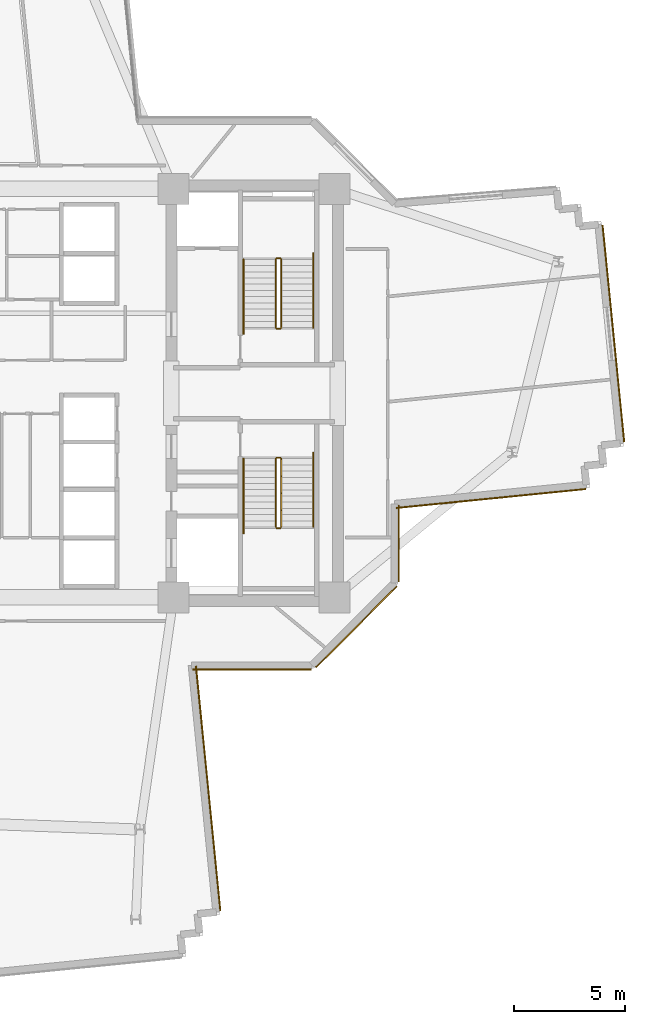
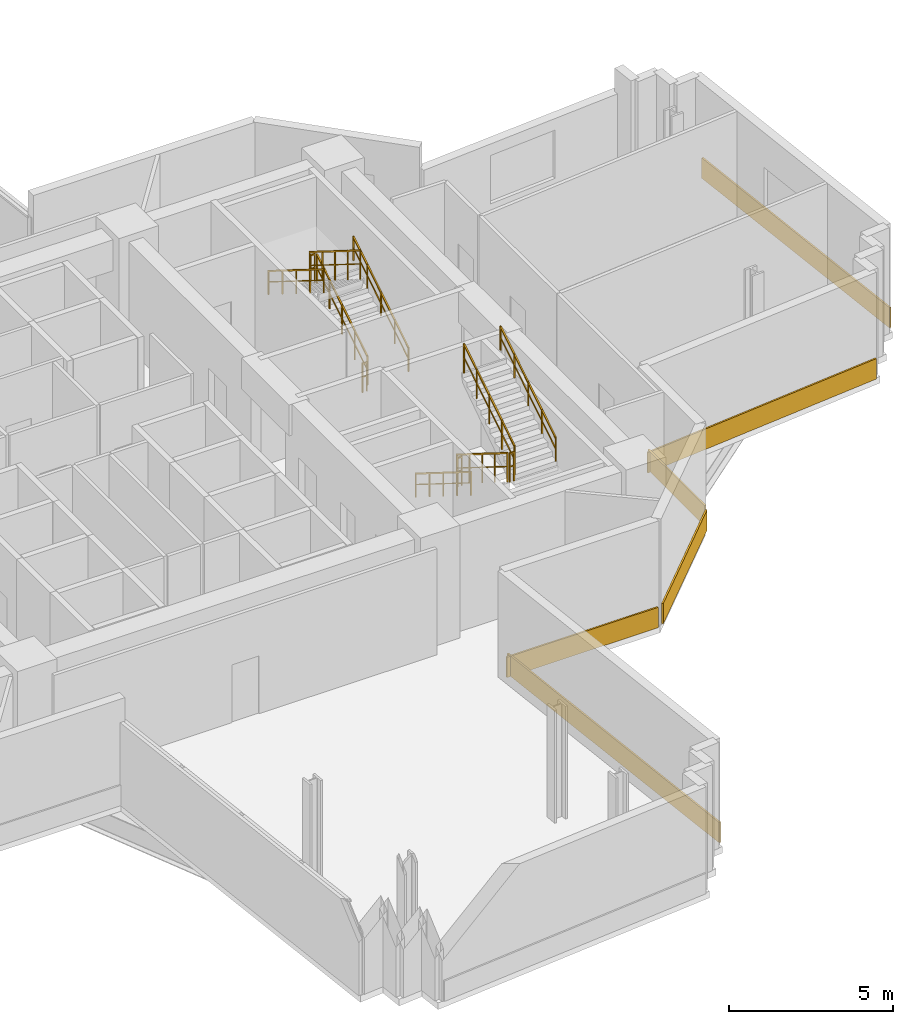
# One storey, part 13 of 14: 12 railings, 6 coverings.
"""IFC4 building model written with IfcOpenShell, lengths in metres."""

from ifc_helpers import new_model, si_unit, direction, frame, origin, origin_2d, place, context, subcontext, project, spatial, rectangle, extrude, source, transform, mapped, material, layer, layer_set, type_object, element, save


model = new_model("IFC4")

# Units and contexts
model_context = context("Model", 3, precision=1e-05, world=origin(), true_north=direction((0.0, 1.0)))
body_context = subcontext(model_context, "Body", "Model", "MODEL_VIEW")
ifc_project = project(units=[si_unit("LENGTHUNIT", "METRE"), si_unit("AREAUNIT", "SQUARE_METRE"), si_unit("VOLUMEUNIT", "CUBIC_METRE"), si_unit("PLANEANGLEUNIT", "RADIAN"), si_unit("MASSUNIT", "GRAM", prefix="KILO")], contexts=[model_context])

# Site, building, storey
site_placement = place(None, origin())
site = spatial("IfcSite", under=ifc_project, at=site_placement, CompositionType="ELEMENT")
building_placement = place(site_placement, origin())
building = spatial("IfcBuilding", under=site, at=building_placement, Name="Zahravan Cultural Tower", CompositionType="ELEMENT")
storey_placement = place(building_placement, frame((0.0, 0.0, 92.10009765625)))
storey = spatial("IfcBuildingStorey", under=building, at=storey_placement, Name="L20", CompositionType="ELEMENT", Elevation=92.10009765625)

# Railings
ifc_material_1 = material(Name="Steel ASTM A572 Grade 50", Category="steel")
railing_type_1 = type_object("IfcRailingType", Name="RL-STAIR-GRD1150", PredefinedType="BALUSTRADE", material=ifc_material_1)
railing_1_placement = place(storey_placement, frame((47.949951171875, 29.949951171875, 0.1748046875)))
element("IfcRailing", 1, at=railing_1_placement, inside=storey, type_object=railing_type_1, Name="L20 ST-E1 stair guard 1", PredefinedType="BALUSTRADE", context=body_context, shape_type="SweptSolid", body=[
    extrude(rectangle(XDim=0.05, YDim=0.05, at=origin_2d()), frame((0.0, 0.0, 1.0751953125), z_axis=(0.0, 0.847998304005, 0.529998940003), x_axis=(-1.0, 0.0, 0.0)), (0.0, 0.0, 1.0), 3.632080078125),
    extrude(rectangle(XDim=0.032, YDim=0.032, at=origin_2d()), frame((0.0, 0.0, 0.572021484375), z_axis=(0.0, 0.847998304005, 0.529998940003), x_axis=(-1.0, 0.0, 0.0)), (0.0, 0.0, 1.0), 3.632080078125),
    extrude(rectangle(XDim=0.04, YDim=0.04, at=origin_2d()), origin(), (0.0, 0.0, 1.0), 1.10009765625),
    extrude(rectangle(XDim=0.04, YDim=0.04, at=origin_2d()), frame((0.0, 0.77001953125, 0.481201171875)), (0.0, 0.0, 1.0), 1.10009765625),
    extrude(rectangle(XDim=0.04, YDim=0.04, at=origin_2d()), frame((0.0, 1.5400390625, 0.96240234375)), (0.0, 0.0, 1.0), 1.10009765625),
    extrude(rectangle(XDim=0.04, YDim=0.04, at=origin_2d()), frame((0.0, 2.31005859375, 1.44384765625)), (0.0, 0.0, 1.0), 1.10009765625),
    extrude(rectangle(XDim=0.04, YDim=0.04, at=origin_2d()), frame((0.0, 3.080078125, 1.925048828125)), (0.0, 0.0, 1.0), 1.10009765625),
])
railing_2_placement = place(storey_placement, frame((47.89990234375, 33.080078125, 2.099853515625)))
element("IfcRailing", 2, at=railing_2_placement, inside=storey, type_object=railing_type_1, Name="L20 ST-E1 stair guard 2", PredefinedType="BALUSTRADE", context=body_context, shape_type="SweptSolid", body=[
    extrude(rectangle(XDim=0.05, YDim=0.05, at=origin_2d()), frame((0.0, 0.0, 1.0751953125), z_axis=(-1.0, 0.0, 0.0), x_axis=(0.0, -1.0, 0.0)), (0.0, 0.0, 1.0), 0.14990234375),
    extrude(rectangle(XDim=0.032, YDim=0.032, at=origin_2d()), frame((0.0, 0.0, 0.572021484375), z_axis=(-1.0, 0.0, 0.0), x_axis=(0.0, -1.0, 0.0)), (0.0, 0.0, 1.0), 0.14990234375),
    extrude(rectangle(XDim=0.04, YDim=0.04, at=origin_2d()), origin(), (0.0, 0.0, 1.0), 1.10009765625),
    extrude(rectangle(XDim=0.04, YDim=0.04, at=origin_2d()), frame((-0.14990234375, 0.0, 0.0)), (0.0, 0.0, 1.0), 1.10009765625),
])
railing_3_placement = place(storey_placement, frame((47.699951171875, 33.030029296875, 2.27490234375)))
element("IfcRailing", 3, at=railing_3_placement, inside=storey, type_object=railing_type_1, Name="L20 ST-E1 stair guard 3", PredefinedType="BALUSTRADE", context=body_context, shape_type="SweptSolid", body=[
    extrude(rectangle(XDim=0.05, YDim=0.05, at=origin_2d()), frame((0.0, 0.0, 1.0751953125), z_axis=(0.0, -0.847998304005, 0.529998940003), x_axis=(1.0, 0.0, 0.0)), (0.0, 0.0, 1.0), 3.632080078125),
    extrude(rectangle(XDim=0.032, YDim=0.032, at=origin_2d()), frame((0.0, 0.0, 0.572021484375), z_axis=(0.0, -0.847998304005, 0.529998940003), x_axis=(1.0, 0.0, 0.0)), (0.0, 0.0, 1.0), 3.632080078125),
    extrude(rectangle(XDim=0.04, YDim=0.04, at=origin_2d()), origin(), (0.0, 0.0, 1.0), 1.10009765625),
    extrude(rectangle(XDim=0.04, YDim=0.04, at=origin_2d()), frame((0.0, -0.77001953125, 0.481201171875)), (0.0, 0.0, 1.0), 1.10009765625),
    extrude(rectangle(XDim=0.04, YDim=0.04, at=origin_2d()), frame((0.0, -1.5400390625, 0.96240234375)), (0.0, 0.0, 1.0), 1.10009765625),
    extrude(rectangle(XDim=0.04, YDim=0.04, at=origin_2d()), frame((0.0, -2.31005859375, 1.44384765625)), (0.0, 0.0, 1.0), 1.10009765625),
    extrude(rectangle(XDim=0.04, YDim=0.04, at=origin_2d()), frame((0.0, -3.080078125, 1.925048828125)), (0.0, 0.0, 1.0), 1.10009765625),
])
railing_4_placement = place(storey_placement, frame((47.89990234375, 29.89990234375, 0.0)))
element("IfcRailing", 4, at=railing_4_placement, inside=storey, type_object=railing_type_1, Name="L20 ST-E1 stair guard 4", PredefinedType="BALUSTRADE", context=body_context, shape_type="SweptSolid", body=[
    extrude(rectangle(XDim=0.05, YDim=0.05, at=origin_2d()), frame((0.0, 0.0, 1.0751953125), z_axis=(-1.0, 0.0, 0.0), x_axis=(0.0, -1.0, 0.0)), (0.0, 0.0, 1.0), 0.14990234375),
    extrude(rectangle(XDim=0.032, YDim=0.032, at=origin_2d()), frame((0.0, 0.0, 0.572021484375), z_axis=(-1.0, 0.0, 0.0), x_axis=(0.0, -1.0, 0.0)), (0.0, 0.0, 1.0), 0.14990234375),
    extrude(rectangle(XDim=0.04, YDim=0.04, at=origin_2d()), origin(), (0.0, 0.0, 1.0), 1.10009765625),
    extrude(rectangle(XDim=0.04, YDim=0.04, at=origin_2d()), frame((-0.14990234375, 0.0, 0.0)), (0.0, 0.0, 1.0), 1.10009765625),
])
railing_5_placement = place(storey_placement, frame((47.699951171875, 24.050048828125, 0.1748046875)))
element("IfcRailing", 5, at=railing_5_placement, inside=storey, type_object=railing_type_1, Name="L20 ST-E2 stair guard 1", PredefinedType="BALUSTRADE", context=body_context, shape_type="SweptSolid", body=[
    extrude(rectangle(XDim=0.05, YDim=0.05, at=origin_2d()), frame((0.0, 0.0, 1.0751953125), z_axis=(0.0, -0.847998304005, 0.529998940003), x_axis=(1.0, 0.0, 0.0)), (0.0, 0.0, 1.0), 3.632080078125),
    extrude(rectangle(XDim=0.032, YDim=0.032, at=origin_2d()), frame((0.0, 0.0, 0.572021484375), z_axis=(0.0, -0.847998304005, 0.529998940003), x_axis=(1.0, 0.0, 0.0)), (0.0, 0.0, 1.0), 3.632080078125),
    extrude(rectangle(XDim=0.04, YDim=0.04, at=origin_2d()), origin(), (0.0, 0.0, 1.0), 1.10009765625),
    extrude(rectangle(XDim=0.04, YDim=0.04, at=origin_2d()), frame((0.0, -0.77001953125, 0.481201171875)), (0.0, 0.0, 1.0), 1.10009765625),
    extrude(rectangle(XDim=0.04, YDim=0.04, at=origin_2d()), frame((0.0, -1.5400390625, 0.96240234375)), (0.0, 0.0, 1.0), 1.10009765625),
    extrude(rectangle(XDim=0.04, YDim=0.04, at=origin_2d()), frame((0.0, -2.31005859375, 1.44384765625)), (0.0, 0.0, 1.0), 1.10009765625),
    extrude(rectangle(XDim=0.04, YDim=0.04, at=origin_2d()), frame((0.0, -3.080078125, 1.925048828125)), (0.0, 0.0, 1.0), 1.10009765625),
])
railing_6_placement = place(storey_placement, frame((47.75, 20.919921875, 2.099853515625)))
element("IfcRailing", 6, at=railing_6_placement, inside=storey, type_object=railing_type_1, Name="L20 ST-E2 stair guard 2", PredefinedType="BALUSTRADE", context=body_context, shape_type="SweptSolid", body=[
    extrude(rectangle(XDim=0.05, YDim=0.05, at=origin_2d()), frame((0.0, 0.0, 1.0751953125), z_axis=(1.0, 0.0, 0.0), x_axis=(0.0, 1.0, 0.0)), (0.0, 0.0, 1.0), 0.14990234375),
    extrude(rectangle(XDim=0.032, YDim=0.032, at=origin_2d()), frame((0.0, 0.0, 0.572021484375), z_axis=(1.0, 0.0, 0.0), x_axis=(0.0, 1.0, 0.0)), (0.0, 0.0, 1.0), 0.14990234375),
    extrude(rectangle(XDim=0.04, YDim=0.04, at=origin_2d()), origin(), (0.0, 0.0, 1.0), 1.10009765625),
    extrude(rectangle(XDim=0.04, YDim=0.04, at=origin_2d()), frame((0.14990234375, 0.0, 0.0)), (0.0, 0.0, 1.0), 1.10009765625),
])
railing_7_placement = place(storey_placement, frame((47.949951171875, 20.969970703125, 2.27490234375)))
element("IfcRailing", 7, at=railing_7_placement, inside=storey, type_object=railing_type_1, Name="L20 ST-E2 stair guard 3", PredefinedType="BALUSTRADE", context=body_context, shape_type="SweptSolid", body=[
    extrude(rectangle(XDim=0.05, YDim=0.05, at=origin_2d()), frame((0.0, 0.0, 1.0751953125), z_axis=(0.0, 0.847998304005, 0.529998940003), x_axis=(-1.0, 0.0, 0.0)), (0.0, 0.0, 1.0), 3.632080078125),
    extrude(rectangle(XDim=0.032, YDim=0.032, at=origin_2d()), frame((0.0, 0.0, 0.572021484375), z_axis=(0.0, 0.847998304005, 0.529998940003), x_axis=(-1.0, 0.0, 0.0)), (0.0, 0.0, 1.0), 3.632080078125),
    extrude(rectangle(XDim=0.04, YDim=0.04, at=origin_2d()), origin(), (0.0, 0.0, 1.0), 1.10009765625),
    extrude(rectangle(XDim=0.04, YDim=0.04, at=origin_2d()), frame((0.0, 0.77001953125, 0.481201171875)), (0.0, 0.0, 1.0), 1.10009765625),
    extrude(rectangle(XDim=0.04, YDim=0.04, at=origin_2d()), frame((0.0, 1.5400390625, 0.96240234375)), (0.0, 0.0, 1.0), 1.10009765625),
    extrude(rectangle(XDim=0.04, YDim=0.04, at=origin_2d()), frame((0.0, 2.31005859375, 1.44384765625)), (0.0, 0.0, 1.0), 1.10009765625),
    extrude(rectangle(XDim=0.04, YDim=0.04, at=origin_2d()), frame((0.0, 3.080078125, 1.925048828125)), (0.0, 0.0, 1.0), 1.10009765625),
])
railing_8_placement = place(storey_placement, frame((47.75, 24.10009765625, 0.0)))
element("IfcRailing", 8, at=railing_8_placement, inside=storey, type_object=railing_type_1, Name="L20 ST-E2 stair guard 4", PredefinedType="BALUSTRADE", context=body_context, shape_type="SweptSolid", body=[
    extrude(rectangle(XDim=0.05, YDim=0.05, at=origin_2d()), frame((0.0, 0.0, 1.0751953125), z_axis=(1.0, 0.0, 0.0), x_axis=(0.0, 1.0, 0.0)), (0.0, 0.0, 1.0), 0.14990234375),
    extrude(rectangle(XDim=0.032, YDim=0.032, at=origin_2d()), frame((0.0, 0.0, 0.572021484375), z_axis=(1.0, 0.0, 0.0), x_axis=(0.0, 1.0, 0.0)), (0.0, 0.0, 1.0), 0.14990234375),
    extrude(rectangle(XDim=0.04, YDim=0.04, at=origin_2d()), origin(), (0.0, 0.0, 1.0), 1.10009765625),
    extrude(rectangle(XDim=0.04, YDim=0.04, at=origin_2d()), frame((0.14990234375, 0.0, 0.0)), (0.0, 0.0, 1.0), 1.10009765625),
])
railing_type_2 = type_object("IfcRailingType", Name="RL-STAIR-HR900", PredefinedType="HANDRAIL", material=ifc_material_1)
railing_9_placement = place(storey_placement, frame((49.39990234375, 29.949951171875, 0.1748046875)))
element("IfcRailing", 9, at=railing_9_placement, inside=storey, type_object=railing_type_2, Name="L20 ST-E1 stair handrail 1", PredefinedType="HANDRAIL", context=body_context, shape_type="SweptSolid", body=[
    extrude(rectangle(XDim=0.05, YDim=0.05, at=origin_2d()), frame((0.0, 0.0, 0.875), z_axis=(0.0, 0.847994842521, 0.530004478338), x_axis=(-1.0, 0.0, 0.0)), (0.0, 0.0, 1.0), 3.96240234375),
    extrude(rectangle(XDim=0.032, YDim=0.032, at=origin_2d()), frame((0.0, 0.0, 0.468017578125), z_axis=(0.0, 0.847994842521, 0.530004478338), x_axis=(-1.0, 0.0, 0.0)), (0.0, 0.0, 1.0), 3.96240234375),
    extrude(rectangle(XDim=0.04, YDim=0.04, at=origin_2d()), origin(), (0.0, 0.0, 1.0), 0.89990234375),
    extrude(rectangle(XDim=0.04, YDim=0.04, at=origin_2d()), frame((0.0, 0.840087890625, 0.52490234375)), (0.0, 0.0, 1.0), 0.89990234375),
    extrude(rectangle(XDim=0.04, YDim=0.04, at=origin_2d()), frame((0.0, 1.68017578125, 1.050048828125)), (0.0, 0.0, 1.0), 0.89990234375),
    extrude(rectangle(XDim=0.04, YDim=0.04, at=origin_2d()), frame((0.0, 2.52001953125, 1.5751953125)), (0.0, 0.0, 1.0), 0.89990234375),
    extrude(rectangle(XDim=0.04, YDim=0.04, at=origin_2d()), frame((0.0, 3.360107421875, 2.10009765625)), (0.0, 0.0, 1.0), 0.89990234375),
])
for number, where, name in (
    (10, (46.25, 33.030029296875, 2.27490234375), "L20 ST-E1 stair handrail 2"),
    (11, (46.25, 24.050048828125, 0.1748046875), "L20 ST-E2 stair handrail 1"),
):
    element("IfcRailing", number, at=place(storey_placement, frame(where)), inside=storey, type_object=railing_type_2, Name=name, PredefinedType="HANDRAIL", context=body_context, shape_type="SweptSolid", body=[
        extrude(rectangle(XDim=0.05, YDim=0.05, at=origin_2d()), frame((0.0, 0.0, 0.875), z_axis=(0.0, -0.847994842521, 0.530004478338), x_axis=(1.0, 0.0, 0.0)), (0.0, 0.0, 1.0), 3.96240234375),
        extrude(rectangle(XDim=0.032, YDim=0.032, at=origin_2d()), frame((0.0, 0.0, 0.468017578125), z_axis=(0.0, -0.847994842521, 0.530004478338), x_axis=(1.0, 0.0, 0.0)), (0.0, 0.0, 1.0), 3.96240234375),
        extrude(rectangle(XDim=0.04, YDim=0.04, at=origin_2d()), origin(), (0.0, 0.0, 1.0), 0.89990234375),
        extrude(rectangle(XDim=0.04, YDim=0.04, at=origin_2d()), frame((0.0, -0.840087890625, 0.52490234375)), (0.0, 0.0, 1.0), 0.89990234375),
        extrude(rectangle(XDim=0.04, YDim=0.04, at=origin_2d()), frame((0.0, -1.68017578125, 1.050048828125)), (0.0, 0.0, 1.0), 0.89990234375),
        extrude(rectangle(XDim=0.04, YDim=0.04, at=origin_2d()), frame((0.0, -2.52001953125, 1.5751953125)), (0.0, 0.0, 1.0), 0.89990234375),
        extrude(rectangle(XDim=0.04, YDim=0.04, at=origin_2d()), frame((0.0, -3.360107421875, 2.10009765625)), (0.0, 0.0, 1.0), 0.89990234375),
    ])
railing_10_placement = place(storey_placement, frame((49.39990234375, 20.969970703125, 2.27490234375)))
element("IfcRailing", 12, at=railing_10_placement, inside=storey, type_object=railing_type_2, Name="L20 ST-E2 stair handrail 2", PredefinedType="HANDRAIL", context=body_context, shape_type="SweptSolid", body=[
    extrude(rectangle(XDim=0.05, YDim=0.05, at=origin_2d()), frame((0.0, 0.0, 0.875), z_axis=(0.0, 0.847994842521, 0.530004478338), x_axis=(-1.0, 0.0, 0.0)), (0.0, 0.0, 1.0), 3.96240234375),
    extrude(rectangle(XDim=0.032, YDim=0.032, at=origin_2d()), frame((0.0, 0.0, 0.468017578125), z_axis=(0.0, 0.847994842521, 0.530004478338), x_axis=(-1.0, 0.0, 0.0)), (0.0, 0.0, 1.0), 3.96240234375),
    extrude(rectangle(XDim=0.04, YDim=0.04, at=origin_2d()), origin(), (0.0, 0.0, 1.0), 0.89990234375),
    extrude(rectangle(XDim=0.04, YDim=0.04, at=origin_2d()), frame((0.0, 0.840087890625, 0.52490234375)), (0.0, 0.0, 1.0), 0.89990234375),
    extrude(rectangle(XDim=0.04, YDim=0.04, at=origin_2d()), frame((0.0, 1.68017578125, 1.050048828125)), (0.0, 0.0, 1.0), 0.89990234375),
    extrude(rectangle(XDim=0.04, YDim=0.04, at=origin_2d()), frame((0.0, 2.52001953125, 1.5751953125)), (0.0, 0.0, 1.0), 0.89990234375),
    extrude(rectangle(XDim=0.04, YDim=0.04, at=origin_2d()), frame((0.0, 3.360107421875, 2.10009765625)), (0.0, 0.0, 1.0), 0.89990234375),
])

# Coverings
ifc_material_2 = material(Name="Terracotta ceramic cladding", Category="masonry")
ifc_layer = layer(ifc_material_2, 0.06005859375)
ifc_layer_set = layer_set([ifc_layer], Name="Terracotta ceramic cladding")
covering_type = type_object("IfcCoveringType", Name="COV-CLAD-TC60", PredefinedType="CLADDING", material=ifc_layer_set)
shared_shape_1 = source(origin(), body_context, "Body", "SweptSolid", [
    extrude(rectangle(XDim=9.820068359375, YDim=0.06005859375, at=origin_2d()), origin(), (0.0, 0.0, 1.0), 0.760009765625),
])
covering_1_placement = place(storey_placement, frame((62.911376953125, 29.68603515625, 0.02001953125), z_axis=(0.0, 0.0, 1.0), x_axis=(0.099319749744, -0.995055569961, 0.0)))
element("IfcCovering", 13, at=covering_1_placement, inside=storey, type_object=covering_type, Name="L20 Terracotta Spandrel Cladding 32", PredefinedType="CLADDING", context=body_context, shape_type="MappedRepresentation", body=[
    mapped(shared_shape_1, transform((0.0, 0.0, 0.0), x_axis=(1.0, 0.0, 0.0), y_axis=(0.0, 1.0, 0.0), z_axis=(0.0, 0.0, 1.0), scale=1.0)),
])
shared_shape_2 = source(origin(), body_context, "Body", "SweptSolid", [
    extrude(rectangle(XDim=5.157958984375, YDim=0.06005859375, at=origin_2d()), origin(), (0.0, 0.0, 1.0), 0.760009765625),
])
covering_2_placement = place(storey_placement, frame((51.331787109375, 16.46826171875, 0.02001953125), z_axis=(0.0, 0.0, 1.0), x_axis=(-0.707106781187, -0.707106781187, 0.0)))
element("IfcCovering", 14, at=covering_2_placement, inside=storey, type_object=covering_type, Name="L20 Terracotta Spandrel Cladding 39", PredefinedType="CLADDING", context=body_context, shape_type="MappedRepresentation", body=[
    mapped(shared_shape_2, transform((0.0, 0.0, 0.0), x_axis=(1.0, 0.0, 0.0), y_axis=(0.0, 1.0, 0.0), z_axis=(0.0, 0.0, 1.0), scale=1.0)),
])
shared_shape_3 = source(origin(), body_context, "Body", "SweptSolid", [
    extrude(rectangle(XDim=8.580078125, YDim=0.06005859375, at=origin_2d()), origin(), (0.0, 0.0, 1.0), 0.760009765625),
])
covering_3_placement = place(storey_placement, frame((57.39697265625, 22.256591796875, 0.02001953125), z_axis=(0.0, 0.0, 1.0), x_axis=(-0.995055569961, -0.099319749744, 0.0)))
element("IfcCovering", 15, at=covering_3_placement, inside=storey, type_object=covering_type, Name="L20 Terracotta Spandrel Cladding 37", PredefinedType="CLADDING", context=body_context, shape_type="MappedRepresentation", body=[
    mapped(shared_shape_3, transform((0.0, 0.0, 0.0), x_axis=(1.0, 0.0, 0.0), y_axis=(0.0, 1.0, 0.0), z_axis=(0.0, 0.0, 1.0), scale=1.0)),
])
shared_shape_4 = source(origin(), body_context, "Body", "SweptSolid", [
    extrude(rectangle(XDim=3.45166015625, YDim=0.06005859375, at=origin_2d()), origin(), (0.0, 0.0, 1.0), 0.760009765625),
])
covering_4_placement = place(storey_placement, frame((53.2451171875, 20.23388671875, 0.02001953125), z_axis=(0.0, 0.0, 1.0), x_axis=(0.0, -1.0, 0.0)))
element("IfcCovering", 16, at=covering_4_placement, inside=storey, type_object=covering_type, Name="L20 Terracotta Spandrel Cladding 38", PredefinedType="CLADDING", context=body_context, shape_type="MappedRepresentation", body=[
    mapped(shared_shape_4, transform((0.0, 0.0, 0.0), x_axis=(1.0, 0.0, 0.0), y_axis=(0.0, 1.0, 0.0), z_axis=(0.0, 0.0, 1.0), scale=1.0)),
])
shared_shape_5 = source(origin(), body_context, "Body", "SweptSolid", [
    extrude(rectangle(XDim=5.3251953125, YDim=0.06005859375, at=origin_2d()), origin(), (0.0, 0.0, 1.0), 0.760009765625),
])
covering_5_placement = place(storey_placement, frame((46.62939453125, 14.554931640625, 0.02001953125), z_axis=(0.0, 0.0, 1.0), x_axis=(-1.0, 0.0, 0.0)))
element("IfcCovering", 17, at=covering_5_placement, inside=storey, type_object=covering_type, Name="L20 Terracotta Spandrel Cladding 40", PredefinedType="CLADDING", context=body_context, shape_type="MappedRepresentation", body=[
    mapped(shared_shape_5, transform((0.0, 0.0, 0.0), x_axis=(1.0, 0.0, 0.0), y_axis=(0.0, 1.0, 0.0), z_axis=(0.0, 0.0, 1.0), scale=1.0)),
])
shared_shape_6 = source(origin(), body_context, "Body", "SweptSolid", [
    extrude(rectangle(XDim=11.07421875, YDim=0.06005859375, at=origin_2d()), origin(), (0.0, 0.0, 1.0), 0.760009765625),
])
covering_6_placement = place(storey_placement, frame((44.65576171875, 9.19873046875, 0.02001953125), z_axis=(0.0, 0.0, 1.0), x_axis=(0.099319749744, -0.995055569961, 0.0)))
element("IfcCovering", 18, at=covering_6_placement, inside=storey, type_object=covering_type, Name="L20 Terracotta Spandrel Cladding 41", PredefinedType="CLADDING", context=body_context, shape_type="MappedRepresentation", body=[
    mapped(shared_shape_6, transform((0.0, 0.0, 0.0), x_axis=(1.0, 0.0, 0.0), y_axis=(0.0, 1.0, 0.0), z_axis=(0.0, 0.0, 1.0), scale=1.0)),
])

save(model, "model.ifc")
